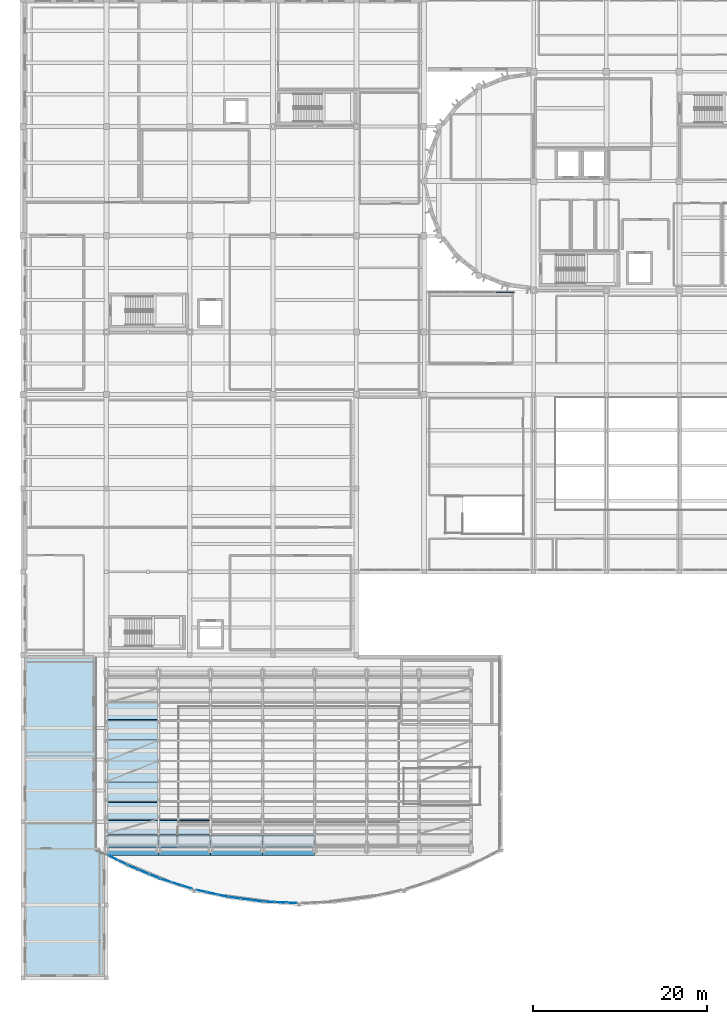
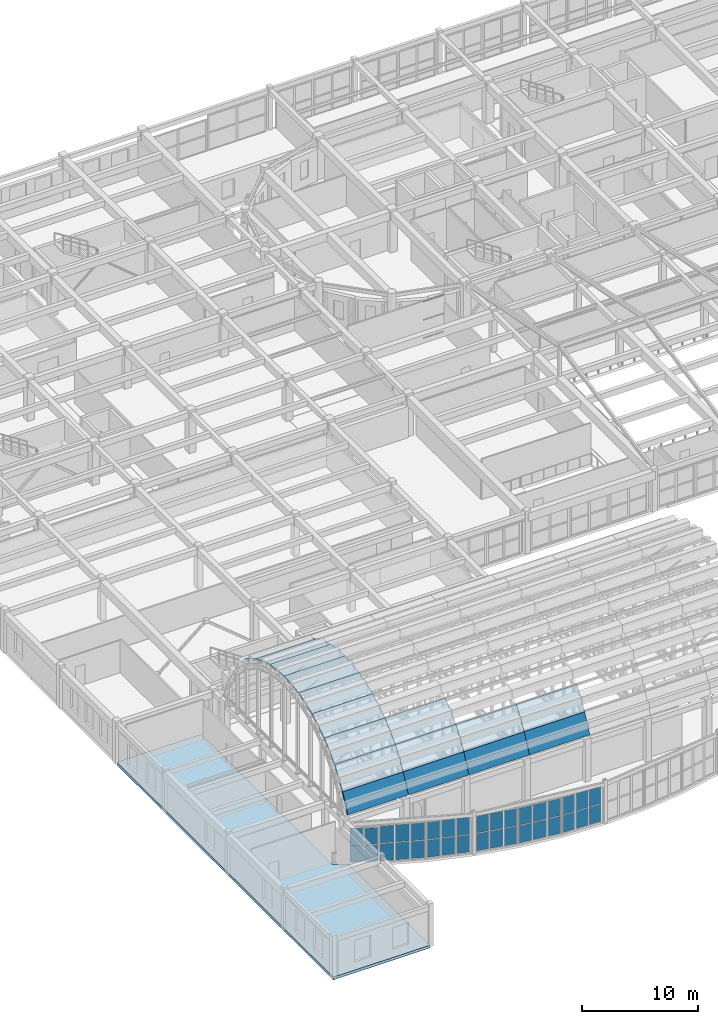
# One storey, part 56 of 91: 50 plates, 6 members, 1 slab, 7 elements without a shape of their own.
"""IFC4 building model written with IfcOpenShell, lengths in metres."""

from ifc_helpers import new_model, si_unit, direction, frame, origin, origin_2d, place, context, subcontext, project, spatial, polyline, rectangle, hollow_rectangle, outline, extrude, material, layer, layer_set, material_profile, profile_set, type_object, element, aggregate, save


model = new_model("IFC4")

# Units and contexts
model_context = context("Model", 3, precision=1e-05, world=origin(), true_north=direction((0.0, 1.0)))
body_context = subcontext(model_context, "Body", "Model", "MODEL_VIEW")
ifc_project = project(units=[si_unit("LENGTHUNIT", "METRE"), si_unit("AREAUNIT", "SQUARE_METRE"), si_unit("VOLUMEUNIT", "CUBIC_METRE"), si_unit("PLANEANGLEUNIT", "RADIAN"), si_unit("MASSUNIT", "GRAM", prefix="KILO")], contexts=[model_context])

# Site, building, storey
site_placement = place(None, origin())
site = spatial("IfcSite", under=ifc_project, at=site_placement, CompositionType="ELEMENT")
building_placement = place(site_placement, origin())
building = spatial("IfcBuilding", under=site, at=building_placement, Name="Tarnavel Promenade Courthouse", CompositionType="ELEMENT")
storey_placement = place(building_placement, frame((0.0, 0.0, 9.89990234375)))
storey = spatial("IfcBuildingStorey", under=building, at=storey_placement, Name="L03", CompositionType="ELEMENT", Elevation=9.89990234375)

# Curtain wall, members
ifc_material_1 = material(Name="Thermally Broken Anodised Aluminium Curtain Wall System", Category="aluminium")
ifc_layer_1 = layer(ifc_material_1, 0.2099609375)
ifc_layer_set_1 = layer_set([ifc_layer_1], Name="Thermally Broken Anodised Aluminium Curtain Wall System")
curtain_wall_type_1 = type_object("IfcCurtainWallType", Name="Thermally Broken Aluminium Triple-Glazed Curtain Wall CW-WG-N", PredefinedType="NOTDEFINED", material=ifc_layer_set_1)
curtain_wall_1_placement = place(storey_placement, origin())
curtain_wall_1 = element("IfcCurtainWall", 1, at=curtain_wall_1_placement, inside=storey, type_object=curtain_wall_type_1, Name="L03 Winter-Garden North Curtain Wall 116", PredefinedType="NOTDEFINED")
ifc_material_2 = material(Name="Thermally Broken Anodised Aluminium Frame", Category="aluminium")
ifc_material_profile = material_profile(ifc_material_2, hollow_rectangle(XDim=0.070068359375, YDim=0.139892578125, WallThickness=0.0048828125, InnerFilletRadius=0.0048828125, OuterFilletRadius=0.010009765625, at=origin_2d()), Name="CWT 140x70x5")
ifc_profile_set = profile_set([ifc_material_profile], Name="Thermally Broken Anodised Aluminium Frame")
member_type = type_object("IfcMemberType", Name="Thermally Broken Anodised Aluminium CWT-125 (CWT 140x70x5)", PredefinedType="USERDEFINED", material=ifc_profile_set)
member_1_placement = place(storey_placement, frame((54.47998046875, 78.949951171875, 0.03515625), z_axis=(1.0, 0.0, 0.0), x_axis=(0.0, 1.0, 0.0)))
member_1 = element("IfcMember", 2, at=member_1_placement, type_object=member_type, Name="CW-03 transom 1.1", ObjectType="TRANSOM", PredefinedType="USERDEFINED", context=body_context, shape_type="SweptSolid", body=[
    extrude(hollow_rectangle(XDim=0.070068359375, YDim=0.139892578125, WallThickness=0.0048828125, InnerFilletRadius=0.0048828125, OuterFilletRadius=0.010009765625, at=origin_2d()), origin(), (0.0, 0.0, 1.0), 0.97998046875),
])
member_2_placement = place(storey_placement, frame((54.47998046875, 78.949951171875, 1.940185546875), z_axis=(1.0, 0.0, 0.0), x_axis=(0.0, 1.0, 0.0)))
member_2 = element("IfcMember", 3, at=member_2_placement, type_object=member_type, Name="CW-03 transom 1.2", ObjectType="TRANSOM", PredefinedType="USERDEFINED", context=body_context, shape_type="SweptSolid", body=[
    extrude(hollow_rectangle(XDim=0.070068359375, YDim=0.139892578125, WallThickness=0.0048828125, InnerFilletRadius=0.0048828125, OuterFilletRadius=0.010009765625, at=origin_2d()), origin(), (0.0, 0.0, 1.0), 0.97998046875),
])
member_3_placement = place(storey_placement, frame((54.47998046875, 78.949951171875, 3.84521484375), z_axis=(1.0, 0.0, 0.0), x_axis=(0.0, 1.0, 0.0)))
member_3 = element("IfcMember", 4, at=member_3_placement, type_object=member_type, Name="CW-03 transom 1.3", ObjectType="TRANSOM", PredefinedType="USERDEFINED", context=body_context, shape_type="SweptSolid", body=[
    extrude(hollow_rectangle(XDim=0.070068359375, YDim=0.139892578125, WallThickness=0.0048828125, InnerFilletRadius=0.0048828125, OuterFilletRadius=0.010009765625, at=origin_2d()), origin(), (0.0, 0.0, 1.0), 0.97998046875),
])
member_4_placement = place(storey_placement, frame((55.5400390625, 78.949951171875, 0.03515625), z_axis=(1.0, 0.0, 0.0), x_axis=(0.0, 1.0, 0.0)))
member_4 = element("IfcMember", 5, at=member_4_placement, type_object=member_type, Name="CW-03 transom 2.1", ObjectType="TRANSOM", PredefinedType="USERDEFINED", context=body_context, shape_type="SweptSolid", body=[
    extrude(hollow_rectangle(XDim=0.070068359375, YDim=0.139892578125, WallThickness=0.0048828125, InnerFilletRadius=0.0048828125, OuterFilletRadius=0.010009765625, at=origin_2d()), origin(), (0.0, 0.0, 1.0), 0.97998046875),
])
member_5_placement = place(storey_placement, frame((55.5400390625, 78.949951171875, 1.940185546875), z_axis=(1.0, 0.0, 0.0), x_axis=(0.0, 1.0, 0.0)))
member_5 = element("IfcMember", 6, at=member_5_placement, type_object=member_type, Name="CW-03 transom 2.2", ObjectType="TRANSOM", PredefinedType="USERDEFINED", context=body_context, shape_type="SweptSolid", body=[
    extrude(hollow_rectangle(XDim=0.070068359375, YDim=0.139892578125, WallThickness=0.0048828125, InnerFilletRadius=0.0048828125, OuterFilletRadius=0.010009765625, at=origin_2d()), origin(), (0.0, 0.0, 1.0), 0.97998046875),
])
member_6_placement = place(storey_placement, frame((55.5400390625, 78.949951171875, 3.84521484375), z_axis=(1.0, 0.0, 0.0), x_axis=(0.0, 1.0, 0.0)))
member_6 = element("IfcMember", 7, at=member_6_placement, type_object=member_type, Name="CW-03 transom 2.3", ObjectType="TRANSOM", PredefinedType="USERDEFINED", context=body_context, shape_type="SweptSolid", body=[
    extrude(hollow_rectangle(XDim=0.070068359375, YDim=0.139892578125, WallThickness=0.0048828125, InnerFilletRadius=0.0048828125, OuterFilletRadius=0.010009765625, at=origin_2d()), origin(), (0.0, 0.0, 1.0), 0.97998046875),
])
aggregate(curtain_wall_1, [member_1, member_2, member_3, member_4, member_5, member_6])

# Slab
ifc_material_3 = material(Name="Concrete C40/50", Category="concrete")
ifc_layer_2 = layer(ifc_material_3, 0.300048828125)
ifc_layer_set_2 = layer_set([ifc_layer_2], Name="Concrete C40/50")
slab_type = type_object("IfcSlabType", Name="Concrete C40/50 SLB-STK-300 (300 mm)", PredefinedType="FLOOR", material=ifc_layer_set_2)
slab_placement = place(storey_placement, frame((0.0, 0.0, -0.2998046875)))
element("IfcSlab", 8, at=slab_placement, inside=storey, type_object=slab_type, Name="L03 Portal Pavilion Floor Slab", PredefinedType="FLOOR", context=body_context, shape_type="SweptSolid", body=[
    extrude(outline(polyline([(9.60009765625, 0.0), (0.0, 0.0), (0.0, 37.179931640625), (8.360107421875, 37.179931640625), (8.360107421875, 14.6201171875), (8.43115234375, 14.6201171875), (9.60009765625, 14.011474609375), (9.60009765625, 0.0)])), origin(), (0.0, 0.0, 1.0), 0.2998046875),
])

# Plates
ifc_material_4 = material(Name="Standing-Seam Copper Insulated Roof Assembly")
ifc_layer_3 = layer(ifc_material_4, 0.179931640625)
ifc_layer_set_3 = layer_set([ifc_layer_3], Name="Standing-Seam Copper Insulated Roof Assembly")
plate_type_1 = type_object("IfcPlateType", Name="Standing-Seam Copper Insulated Roof Assembly PLT-VLT-V4-CROWN (180 mm)", PredefinedType="SHEET", material=ifc_layer_set_3)
plate_1_placement = place(storey_placement, frame((9.60009765625, 18.131591796875, 10.72314453125), z_axis=(0.0, -0.519833470276, 0.85426761801), x_axis=(1.0, 0.0, 0.0)))
element("IfcPlate", 9, at=plate_1_placement, inside=storey, type_object=plate_type_1, Name="Barrel Vault Roof Panel V4 Bay 01 Facet 04", PredefinedType="SHEET", context=body_context, shape_type="SweptSolid", body=[
    extrude(outline(polyline([(0.0, 0.0), (6.0, 0.0), (6.0, 2.457217210970626), (0.0, 2.457217210970626), (0.0, 0.0)])), origin(), (0.0, 0.0, -1.0), 0.179931640625),
])
plate_2_placement = place(storey_placement, frame((9.60009765625, 20.230712890625, 12.00048828125), z_axis=(0.0, -0.322063013242, 0.946718234483), x_axis=(1.0, 0.0, 0.0)))
element("IfcPlate", 10, at=plate_2_placement, inside=storey, type_object=plate_type_1, Name="Barrel Vault Roof Panel V4 Bay 01 Facet 05", PredefinedType="SHEET", context=body_context, shape_type="SweptSolid", body=[
    extrude(outline(polyline([(0.0, 0.0), (6.0, 0.0), (6.0, 2.457605728405247), (0.0, 2.457605728405247), (0.0, 0.0)])), origin(), (0.0, 0.0, -1.0), 0.179931640625),
])
for number, where, z_axis, x_axis, name in (
    (11, (9.60009765625, 22.557373046875, 12.7919921875), (0.0, -0.10909015314, 0.994031859896), (1.0, 0.0, 0.0), "Barrel Vault Roof Panel V4 Bay 01 Facet 06"),
    (12, (9.60009765625, 25.0, 13.06005859375), (0.0, 0.10909015314, 0.994031859896), (1.0, 0.0, 0.0), "Barrel Vault Roof Panel V4 Bay 01 Facet 07"),
):
    element("IfcPlate", number, at=place(storey_placement, frame(where, z_axis=z_axis, x_axis=x_axis)), inside=storey, type_object=plate_type_1, Name=name, PredefinedType="SHEET", context=body_context, shape_type="SweptSolid", body=[
        extrude(outline(polyline([(0.0, 0.0), (6.0, 0.0), (6.0, 2.457292418555942), (0.0, 2.457292418555942), (0.0, 0.0)])), origin(), (0.0, 0.0, -1.0), 0.179931640625),
    ])
plate_3_placement = place(storey_placement, frame((9.60009765625, 27.442626953125, 12.7919921875), z_axis=(0.0, 0.322063013242, 0.946718234483), x_axis=(1.0, 0.0, 0.0)))
element("IfcPlate", 13, at=plate_3_placement, inside=storey, type_object=plate_type_1, Name="Barrel Vault Roof Panel V4 Bay 01 Facet 08", PredefinedType="SHEET", context=body_context, shape_type="SweptSolid", body=[
    extrude(outline(polyline([(0.0, 0.0), (6.0, 0.0), (6.0, 2.457605728405247), (0.0, 2.457605728405247), (0.0, 0.0)])), origin(), (0.0, 0.0, -1.0), 0.179931640625),
])
plate_4_placement = place(storey_placement, frame((9.60009765625, 29.769287109375, 12.00048828125), z_axis=(0.0, 0.519833470276, 0.85426761801), x_axis=(1.0, 0.0, 0.0)))
element("IfcPlate", 14, at=plate_4_placement, inside=storey, type_object=plate_type_1, Name="Barrel Vault Roof Panel V4 Bay 01 Facet 09", PredefinedType="SHEET", context=body_context, shape_type="SweptSolid", body=[
    extrude(outline(polyline([(0.0, 0.0), (6.0, 0.0), (6.0, 2.457217210970626), (0.0, 2.457217210970626), (0.0, 0.0)])), origin(), (0.0, 0.0, -1.0), 0.179931640625),
])
ifc_layer_4 = layer(ifc_material_4, 0.175048828125)
ifc_layer_set_4 = layer_set([ifc_layer_4], Name="Standing-Seam Copper Insulated Roof Assembly")
plate_type_2 = type_object("IfcPlateType", Name="Standing-Seam Copper Insulated Roof Assembly PLT-VLT-V4-LOW (175 mm)", PredefinedType="SHEET", material=ifc_layer_set_4)
plate_5_placement = place(storey_placement, frame((9.60009765625, 14.11376953125, 5.080078125), z_axis=(0.0, -0.906108548718, 0.423045267011), x_axis=(1.0, 0.0, 0.0)))
element("IfcPlate", 15, at=plate_5_placement, inside=storey, type_object=plate_type_2, Name="Barrel Vault Roof Panel V4 Bay 01 Facet 01", PredefinedType="SHEET", context=body_context, shape_type="SweptSolid", body=[
    extrude(outline(polyline([(0.0, 0.0), (6.0, 0.0), (6.0, 2.0908435889725268), (0.0, 2.0908435889725268), (0.0, 0.0)])), origin(), (0.0, 0.0, -1.0), 0.175048828125),
])
plate_6_placement = place(storey_placement, frame((9.60009765625, 14.998291015625, 6.974609375), z_axis=(0.0, -0.83266118003, 0.553782772639), x_axis=(1.0, 0.0, 0.0)))
element("IfcPlate", 16, at=plate_6_placement, inside=storey, type_object=plate_type_2, Name="Barrel Vault Roof Panel V4 Bay 01 Facet 02", PredefinedType="SHEET", context=body_context, shape_type="SweptSolid", body=[
    extrude(outline(polyline([(0.0, 0.0), (6.0, 0.0), (6.0, 2.457353155399839), (0.0, 2.457353155399839), (0.0, 0.0)])), origin(), (0.0, 0.0, -1.0), 0.175048828125),
])
plate_7_placement = place(storey_placement, frame((9.60009765625, 16.359130859375, 9.020751953125), z_axis=(0.0, -0.692707578218, 0.721218559855), x_axis=(1.0, 0.0, 0.0)))
element("IfcPlate", 17, at=plate_7_placement, inside=storey, type_object=plate_type_2, Name="Barrel Vault Roof Panel V4 Bay 01 Facet 03", PredefinedType="SHEET", context=body_context, shape_type="SweptSolid", body=[
    extrude(outline(polyline([(0.0, 0.0), (6.0, 0.0), (6.0, 2.4575919647123), (0.0, 2.4575919647123), (0.0, 0.0)])), origin(), (0.0, 0.0, -1.0), 0.175048828125),
])
plate_8_placement = place(storey_placement, frame((15.60009765625, 14.11376953125, 5.080078125), z_axis=(0.0, -0.906108548718, 0.423045267011), x_axis=(1.0, 0.0, 0.0)))
element("IfcPlate", 18, at=plate_8_placement, inside=storey, type_object=plate_type_2, Name="Barrel Vault Roof Panel V4 Bay 02 Facet 01", PredefinedType="SHEET", context=body_context, shape_type="SweptSolid", body=[
    extrude(outline(polyline([(0.0, 0.0), (6.0, 0.0), (6.0, 2.0908435889725268), (0.0, 2.0908435889725268), (0.0, 0.0)])), origin(), (0.0, 0.0, -1.0), 0.175048828125),
])
plate_9_placement = place(storey_placement, frame((15.60009765625, 14.998291015625, 6.974609375), z_axis=(0.0, -0.83266118003, 0.553782772639), x_axis=(1.0, 0.0, 0.0)))
element("IfcPlate", 19, at=plate_9_placement, inside=storey, type_object=plate_type_2, Name="Barrel Vault Roof Panel V4 Bay 02 Facet 02", PredefinedType="SHEET", context=body_context, shape_type="SweptSolid", body=[
    extrude(outline(polyline([(0.0, 0.0), (6.0, 0.0), (6.0, 2.457353155399839), (0.0, 2.457353155399839), (0.0, 0.0)])), origin(), (0.0, 0.0, -1.0), 0.175048828125),
])
plate_10_placement = place(storey_placement, frame((15.60009765625, 16.359130859375, 9.020751953125), z_axis=(0.0, -0.692707578218, 0.721218559855), x_axis=(1.0, 0.0, 0.0)))
element("IfcPlate", 20, at=plate_10_placement, inside=storey, type_object=plate_type_2, Name="Barrel Vault Roof Panel V4 Bay 02 Facet 03", PredefinedType="SHEET", context=body_context, shape_type="SweptSolid", body=[
    extrude(outline(polyline([(0.0, 0.0), (6.0, 0.0), (6.0, 2.4575919647123), (0.0, 2.4575919647123), (0.0, 0.0)])), origin(), (0.0, 0.0, -1.0), 0.175048828125),
])
plate_11_placement = place(storey_placement, frame((21.60009765625, 14.11376953125, 5.080078125), z_axis=(0.0, -0.906108548718, 0.423045267011), x_axis=(1.0, 0.0, 0.0)))
element("IfcPlate", 21, at=plate_11_placement, inside=storey, type_object=plate_type_2, Name="Barrel Vault Roof Panel V4 Bay 03 Facet 01", PredefinedType="SHEET", context=body_context, shape_type="SweptSolid", body=[
    extrude(outline(polyline([(0.0, 0.0), (6.0, 0.0), (6.0, 2.0908435889725268), (0.0, 2.0908435889725268), (0.0, 0.0)])), origin(), (0.0, 0.0, -1.0), 0.175048828125),
])
plate_12_placement = place(storey_placement, frame((21.60009765625, 14.998291015625, 6.974609375), z_axis=(0.0, -0.83266118003, 0.553782772639), x_axis=(1.0, 0.0, 0.0)))
element("IfcPlate", 22, at=plate_12_placement, inside=storey, type_object=plate_type_2, Name="Barrel Vault Roof Panel V4 Bay 03 Facet 02", PredefinedType="SHEET", context=body_context, shape_type="SweptSolid", body=[
    extrude(outline(polyline([(0.0, 0.0), (6.0, 0.0), (6.0, 2.457353155399839), (0.0, 2.457353155399839), (0.0, 0.0)])), origin(), (0.0, 0.0, -1.0), 0.175048828125),
])
plate_13_placement = place(storey_placement, frame((27.60009765625, 14.11376953125, 5.080078125), z_axis=(0.0, -0.906108548718, 0.423045267011), x_axis=(1.0, 0.0, 0.0)))
element("IfcPlate", 23, at=plate_13_placement, inside=storey, type_object=plate_type_2, Name="Barrel Vault Roof Panel V4 Bay 04 Facet 01", PredefinedType="SHEET", context=body_context, shape_type="SweptSolid", body=[
    extrude(outline(polyline([(0.0, 0.0), (6.0, 0.0), (6.0, 2.0908435889725268), (0.0, 2.0908435889725268), (0.0, 0.0)])), origin(), (0.0, 0.0, -1.0), 0.175048828125),
])
plate_14_placement = place(storey_placement, frame((27.60009765625, 14.998291015625, 6.974609375), z_axis=(0.0, -0.83266118003, 0.553782772639), x_axis=(1.0, 0.0, 0.0)))
element("IfcPlate", 24, at=plate_14_placement, inside=storey, type_object=plate_type_2, Name="Barrel Vault Roof Panel V4 Bay 04 Facet 02", PredefinedType="SHEET", context=body_context, shape_type="SweptSolid", body=[
    extrude(outline(polyline([(0.0, 0.0), (6.0, 0.0), (6.0, 2.457353155399839), (0.0, 2.457353155399839), (0.0, 0.0)])), origin(), (0.0, 0.0, -1.0), 0.175048828125),
])

# Curtain wall, plates
ifc_layer_5 = layer(ifc_material_1, 0.219970703125)
ifc_layer_set_5 = layer_set([ifc_layer_5], Name="Thermally Broken Anodised Aluminium Curtain Wall System")
curtain_wall_type_2 = type_object("IfcCurtainWallType", Name="Thermally Broken Aluminium Triple-Glazed Curtain Wall CW-DRUM", PredefinedType="NOTDEFINED", material=ifc_layer_set_5)
curtain_wall_2_placement = place(storey_placement, origin())
curtain_wall_2 = element("IfcCurtainWall", 25, at=curtain_wall_2_placement, inside=storey, type_object=curtain_wall_type_2, Name="L03 Public Hall Drum Curtain Wall 027", PredefinedType="NOTDEFINED")
ifc_material_5 = material(Name="Triple Low-E Argon Insulated Glazing", Category="glass")
ifc_layer_6 = layer(ifc_material_5, 0.048095703125)
ifc_layer_set_6 = layer_set([ifc_layer_6], Name="Triple Low-E Argon Insulated Glazing")
plate_type_3 = type_object("IfcPlateType", Name="Triple Low-E Argon Insulated Glazing Unit CWP-48 (48 mm)", PredefinedType="CURTAIN_PANEL", material=ifc_layer_set_6)
plate_15_placement = place(storey_placement, frame((10.34375, 13.878173828125, 0.080078125), z_axis=(0.0, 0.0, 1.0), x_axis=(0.887010496423, -0.461749260135, 0.0)))
plate_15 = element("IfcPlate", 26, at=plate_15_placement, type_object=plate_type_3, Name="CW-01 panel 1.1", PredefinedType="CURTAIN_PANEL", context=body_context, shape_type="SweptSolid", body=[
    extrude(rectangle(XDim=1.140869140625, YDim=0.048095703125, at=origin_2d()), origin(), (0.0, 0.0, 1.0), 1.719970703125),
])
plate_16_placement = place(storey_placement, frame((10.34375, 13.878173828125, 1.8798828125), z_axis=(0.0, 0.0, 1.0), x_axis=(0.887010496423, -0.461749260135, 0.0)))
plate_16 = element("IfcPlate", 27, at=plate_16_placement, type_object=plate_type_3, Name="CW-01 panel 1.2", PredefinedType="CURTAIN_PANEL", context=body_context, shape_type="SweptSolid", body=[
    extrude(rectangle(XDim=1.140869140625, YDim=0.048095703125, at=origin_2d()), origin(), (0.0, 0.0, 1.0), 1.719970703125),
])
plate_17_placement = place(storey_placement, frame((11.435546875, 13.309814453125, 0.080078125), z_axis=(0.0, 0.0, 1.0), x_axis=(0.887010496423, -0.461749260135, 0.0)))
plate_17 = element("IfcPlate", 28, at=plate_17_placement, type_object=plate_type_3, Name="CW-01 panel 2.1", PredefinedType="CURTAIN_PANEL", context=body_context, shape_type="SweptSolid", body=[
    extrude(rectangle(XDim=1.140869140625, YDim=0.048095703125, at=origin_2d()), origin(), (0.0, 0.0, 1.0), 1.719970703125),
])
plate_18_placement = place(storey_placement, frame((11.435546875, 13.309814453125, 1.8798828125), z_axis=(0.0, 0.0, 1.0), x_axis=(0.887010496423, -0.461749260135, 0.0)))
plate_18 = element("IfcPlate", 29, at=plate_18_placement, type_object=plate_type_3, Name="CW-01 panel 2.2", PredefinedType="CURTAIN_PANEL", context=body_context, shape_type="SweptSolid", body=[
    extrude(rectangle(XDim=1.140869140625, YDim=0.048095703125, at=origin_2d()), origin(), (0.0, 0.0, 1.0), 1.719970703125),
])
aggregate(curtain_wall_2, [plate_15, plate_16, plate_17, plate_18])

curtain_wall_3_placement = place(storey_placement, origin())
curtain_wall_3 = element("IfcCurtainWall", 30, at=curtain_wall_3_placement, inside=storey, type_object=curtain_wall_type_2, Name="L03 Public Hall Drum Curtain Wall 028", PredefinedType="NOTDEFINED")
plate_19_placement = place(storey_placement, frame((12.6708984375, 12.73583984375, 0.080078125), z_axis=(0.0, 0.0, 1.0), x_axis=(0.923878974593, -0.382684779296, 0.0)))
plate_19 = element("IfcPlate", 31, at=plate_19_placement, type_object=plate_type_3, Name="CW-01 panel 1.1", PredefinedType="CURTAIN_PANEL", context=body_context, shape_type="SweptSolid", body=[
    extrude(rectangle(XDim=1.225830078125, YDim=0.048095703125, at=origin_2d()), origin(), (0.0, 0.0, 1.0), 1.794921875),
])
plate_20_placement = place(storey_placement, frame((12.6708984375, 12.73583984375, 1.955078125), z_axis=(0.0, 0.0, 1.0), x_axis=(0.923878974593, -0.382684779296, 0.0)))
plate_20 = element("IfcPlate", 32, at=plate_20_placement, type_object=plate_type_3, Name="CW-01 panel 1.2", PredefinedType="CURTAIN_PANEL", context=body_context, shape_type="SweptSolid", body=[
    extrude(rectangle(XDim=1.225830078125, YDim=0.048095703125, at=origin_2d()), origin(), (0.0, 0.0, 1.0), 1.794921875),
])
plate_21_placement = place(storey_placement, frame((13.907470703125, 12.2236328125, 0.080078125), z_axis=(0.0, 0.0, 1.0), x_axis=(0.923878974593, -0.382684779296, 0.0)))
plate_21 = element("IfcPlate", 33, at=plate_21_placement, type_object=plate_type_3, Name="CW-01 panel 2.1", PredefinedType="CURTAIN_PANEL", context=body_context, shape_type="SweptSolid", body=[
    extrude(rectangle(XDim=1.27099609375, YDim=0.048095703125, at=origin_2d()), origin(), (0.0, 0.0, 1.0), 1.794921875),
])
plate_22_placement = place(storey_placement, frame((13.907470703125, 12.2236328125, 1.955078125), z_axis=(0.0, 0.0, 1.0), x_axis=(0.923878974593, -0.382684779296, 0.0)))
plate_22 = element("IfcPlate", 34, at=plate_22_placement, type_object=plate_type_3, Name="CW-01 panel 2.2", PredefinedType="CURTAIN_PANEL", context=body_context, shape_type="SweptSolid", body=[
    extrude(rectangle(XDim=1.27099609375, YDim=0.048095703125, at=origin_2d()), origin(), (0.0, 0.0, 1.0), 1.794921875),
])
plate_23_placement = place(storey_placement, frame((15.14404296875, 11.71142578125, 0.080078125), z_axis=(0.0, 0.0, 1.0), x_axis=(0.923878974593, -0.382684779296, 0.0)))
plate_23 = element("IfcPlate", 35, at=plate_23_placement, type_object=plate_type_3, Name="CW-01 panel 3.1", PredefinedType="CURTAIN_PANEL", context=body_context, shape_type="SweptSolid", body=[
    extrude(rectangle(XDim=1.225830078125, YDim=0.048095703125, at=origin_2d()), origin(), (0.0, 0.0, 1.0), 1.794921875),
])
plate_24_placement = place(storey_placement, frame((15.14404296875, 11.71142578125, 1.955078125), z_axis=(0.0, 0.0, 1.0), x_axis=(0.923878974593, -0.382684779296, 0.0)))
plate_24 = element("IfcPlate", 36, at=plate_24_placement, type_object=plate_type_3, Name="CW-01 panel 3.2", PredefinedType="CURTAIN_PANEL", context=body_context, shape_type="SweptSolid", body=[
    extrude(rectangle(XDim=1.225830078125, YDim=0.048095703125, at=origin_2d()), origin(), (0.0, 0.0, 1.0), 1.794921875),
])
aggregate(curtain_wall_3, [plate_19, plate_20, plate_21, plate_22, plate_23, plate_24])

curtain_wall_4_placement = place(storey_placement, origin())
curtain_wall_4 = element("IfcCurtainWall", 37, at=curtain_wall_4_placement, inside=storey, type_object=curtain_wall_type_2, Name="L03 Public Hall Drum Curtain Wall 029", PredefinedType="NOTDEFINED")
plate_25_placement = place(storey_placement, frame((16.442626953125, 11.23779296875, 0.080078125), z_axis=(0.0, 0.0, 1.0), x_axis=(0.953717095465, -0.300705340521, 0.0)))
plate_25 = element("IfcPlate", 38, at=plate_25_placement, type_object=plate_type_3, Name="CW-01 panel 1.1", PredefinedType="CURTAIN_PANEL", context=body_context, shape_type="SweptSolid", body=[
    extrude(rectangle(XDim=1.181396484375, YDim=0.048095703125, at=origin_2d()), origin(), (0.0, 0.0, 1.0), 1.794921875),
])
plate_26_placement = place(storey_placement, frame((16.442626953125, 11.23779296875, 1.955078125), z_axis=(0.0, 0.0, 1.0), x_axis=(0.953717095465, -0.300705340521, 0.0)))
plate_26 = element("IfcPlate", 39, at=plate_26_placement, type_object=plate_type_3, Name="CW-01 panel 1.2", PredefinedType="CURTAIN_PANEL", context=body_context, shape_type="SweptSolid", body=[
    extrude(rectangle(XDim=1.181396484375, YDim=0.048095703125, at=origin_2d()), origin(), (0.0, 0.0, 1.0), 1.794921875),
])
plate_27_placement = place(storey_placement, frame((17.676513671875, 10.8486328125, 0.080078125), z_axis=(0.0, 0.0, 1.0), x_axis=(0.953717095465, -0.300705340521, 0.0)))
plate_27 = element("IfcPlate", 40, at=plate_27_placement, type_object=plate_type_3, Name="CW-01 panel 2.1", PredefinedType="CURTAIN_PANEL", context=body_context, shape_type="SweptSolid", body=[
    extrude(rectangle(XDim=1.226318359375, YDim=0.048095703125, at=origin_2d()), origin(), (0.0, 0.0, 1.0), 1.794921875),
])
plate_28_placement = place(storey_placement, frame((17.676513671875, 10.8486328125, 1.955078125), z_axis=(0.0, 0.0, 1.0), x_axis=(0.953717095465, -0.300705340521, 0.0)))
plate_28 = element("IfcPlate", 41, at=plate_28_placement, type_object=plate_type_3, Name="CW-01 panel 2.2", PredefinedType="CURTAIN_PANEL", context=body_context, shape_type="SweptSolid", body=[
    extrude(rectangle(XDim=1.226318359375, YDim=0.048095703125, at=origin_2d()), origin(), (0.0, 0.0, 1.0), 1.794921875),
])
plate_29_placement = place(storey_placement, frame((18.910400390625, 10.45947265625, 0.080078125), z_axis=(0.0, 0.0, 1.0), x_axis=(0.953717095465, -0.300705340521, 0.0)))
plate_29 = element("IfcPlate", 42, at=plate_29_placement, type_object=plate_type_3, Name="CW-01 panel 3.1", PredefinedType="CURTAIN_PANEL", context=body_context, shape_type="SweptSolid", body=[
    extrude(rectangle(XDim=1.181396484375, YDim=0.048095703125, at=origin_2d()), origin(), (0.0, 0.0, 1.0), 1.794921875),
])
plate_30_placement = place(storey_placement, frame((18.910400390625, 10.45947265625, 1.955078125), z_axis=(0.0, 0.0, 1.0), x_axis=(0.953717095465, -0.300705340521, 0.0)))
plate_30 = element("IfcPlate", 43, at=plate_30_placement, type_object=plate_type_3, Name="CW-01 panel 3.2", PredefinedType="CURTAIN_PANEL", context=body_context, shape_type="SweptSolid", body=[
    extrude(rectangle(XDim=1.181396484375, YDim=0.048095703125, at=origin_2d()), origin(), (0.0, 0.0, 1.0), 1.794921875),
])
aggregate(curtain_wall_4, [plate_25, plate_26, plate_27, plate_28, plate_29, plate_30])

curtain_wall_5_placement = place(storey_placement, origin())
curtain_wall_5 = element("IfcCurtainWall", 44, at=curtain_wall_5_placement, inside=storey, type_object=curtain_wall_type_2, Name="L03 Public Hall Drum Curtain Wall 030", PredefinedType="NOTDEFINED")
plate_31_placement = place(storey_placement, frame((20.574951171875, 10.017822265625, 0.080078125), z_axis=(0.0, 0.0, 1.0), x_axis=(0.976296327058, -0.216438170788, 0.0)))
plate_31 = element("IfcPlate", 45, at=plate_31_placement, type_object=plate_type_3, Name="CW-01 panel 1.1", PredefinedType="CURTAIN_PANEL", context=body_context, shape_type="SweptSolid", body=[
    extrude(rectangle(XDim=1.143310546875, YDim=0.048095703125, at=origin_2d()), origin(), (0.0, 0.0, 1.0), 1.794921875),
])
plate_32_placement = place(storey_placement, frame((20.574951171875, 10.017822265625, 1.955078125), z_axis=(0.0, 0.0, 1.0), x_axis=(0.976296327058, -0.216438170788, 0.0)))
plate_32 = element("IfcPlate", 46, at=plate_32_placement, type_object=plate_type_3, Name="CW-01 panel 1.2", PredefinedType="CURTAIN_PANEL", context=body_context, shape_type="SweptSolid", body=[
    extrude(rectangle(XDim=1.143310546875, YDim=0.048095703125, at=origin_2d()), origin(), (0.0, 0.0, 1.0), 1.794921875),
])
plate_33_placement = place(storey_placement, frame((21.80126953125, 9.74609375, 0.080078125), z_axis=(0.0, 0.0, 1.0), x_axis=(0.976296327058, -0.216438170788, 0.0)))
plate_33 = element("IfcPlate", 47, at=plate_33_placement, type_object=plate_type_3, Name="CW-01 panel 2.1", PredefinedType="CURTAIN_PANEL", context=body_context, shape_type="SweptSolid", body=[
    extrude(rectangle(XDim=1.1884765625, YDim=0.048095703125, at=origin_2d()), origin(), (0.0, 0.0, 1.0), 1.794921875),
])
plate_34_placement = place(storey_placement, frame((21.80126953125, 9.74609375, 1.955078125), z_axis=(0.0, 0.0, 1.0), x_axis=(0.976296327058, -0.216438170788, 0.0)))
plate_34 = element("IfcPlate", 48, at=plate_34_placement, type_object=plate_type_3, Name="CW-01 panel 2.2", PredefinedType="CURTAIN_PANEL", context=body_context, shape_type="SweptSolid", body=[
    extrude(rectangle(XDim=1.1884765625, YDim=0.048095703125, at=origin_2d()), origin(), (0.0, 0.0, 1.0), 1.794921875),
])
plate_35_placement = place(storey_placement, frame((23.02734375, 9.47412109375, 0.080078125), z_axis=(0.0, 0.0, 1.0), x_axis=(0.976296327058, -0.216438170788, 0.0)))
plate_35 = element("IfcPlate", 49, at=plate_35_placement, type_object=plate_type_3, Name="CW-01 panel 3.1", PredefinedType="CURTAIN_PANEL", context=body_context, shape_type="SweptSolid", body=[
    extrude(rectangle(XDim=1.143310546875, YDim=0.048095703125, at=origin_2d()), origin(), (0.0, 0.0, 1.0), 1.794921875),
])
plate_36_placement = place(storey_placement, frame((23.02734375, 9.47412109375, 1.955078125), z_axis=(0.0, 0.0, 1.0), x_axis=(0.976296327058, -0.216438170788, 0.0)))
plate_36 = element("IfcPlate", 50, at=plate_36_placement, type_object=plate_type_3, Name="CW-01 panel 3.2", PredefinedType="CURTAIN_PANEL", context=body_context, shape_type="SweptSolid", body=[
    extrude(rectangle(XDim=1.143310546875, YDim=0.048095703125, at=origin_2d()), origin(), (0.0, 0.0, 1.0), 1.794921875),
])
aggregate(curtain_wall_5, [plate_31, plate_32, plate_33, plate_34, plate_35, plate_36])

curtain_wall_6_placement = place(storey_placement, origin())
curtain_wall_6 = element("IfcCurtainWall", 51, at=curtain_wall_6_placement, inside=storey, type_object=curtain_wall_type_2, Name="L03 Public Hall Drum Curtain Wall 031", PredefinedType="NOTDEFINED")
plate_37_placement = place(storey_placement, frame((24.3701171875, 9.2392578125, 0.080078125), z_axis=(0.0, 0.0, 1.0), x_axis=(0.991444805772, -0.130526614558, 0.0)))
plate_37 = element("IfcPlate", 52, at=plate_37_placement, type_object=plate_type_3, Name="CW-01 panel 1.1", PredefinedType="CURTAIN_PANEL", context=body_context, shape_type="SweptSolid", body=[
    extrude(rectangle(XDim=1.225830078125, YDim=0.048095703125, at=origin_2d()), origin(), (0.0, 0.0, 1.0), 1.794921875),
])
plate_38_placement = place(storey_placement, frame((24.3701171875, 9.2392578125, 1.955078125), z_axis=(0.0, 0.0, 1.0), x_axis=(0.991444805772, -0.130526614558, 0.0)))
plate_38 = element("IfcPlate", 53, at=plate_38_placement, type_object=plate_type_3, Name="CW-01 panel 1.2", PredefinedType="CURTAIN_PANEL", context=body_context, shape_type="SweptSolid", body=[
    extrude(rectangle(XDim=1.225830078125, YDim=0.048095703125, at=origin_2d()), origin(), (0.0, 0.0, 1.0), 1.794921875),
])
plate_39_placement = place(storey_placement, frame((25.697265625, 9.064453125, 0.080078125), z_axis=(0.0, 0.0, 1.0), x_axis=(0.991444805772, -0.130526614558, 0.0)))
plate_39 = element("IfcPlate", 54, at=plate_39_placement, type_object=plate_type_3, Name="CW-01 panel 2.1", PredefinedType="CURTAIN_PANEL", context=body_context, shape_type="SweptSolid", body=[
    extrude(rectangle(XDim=1.27099609375, YDim=0.048095703125, at=origin_2d()), origin(), (0.0, 0.0, 1.0), 1.794921875),
])
plate_40_placement = place(storey_placement, frame((25.697265625, 9.064453125, 1.955078125), z_axis=(0.0, 0.0, 1.0), x_axis=(0.991444805772, -0.130526614558, 0.0)))
plate_40 = element("IfcPlate", 55, at=plate_40_placement, type_object=plate_type_3, Name="CW-01 panel 2.2", PredefinedType="CURTAIN_PANEL", context=body_context, shape_type="SweptSolid", body=[
    extrude(rectangle(XDim=1.27099609375, YDim=0.048095703125, at=origin_2d()), origin(), (0.0, 0.0, 1.0), 1.794921875),
])
plate_41_placement = place(storey_placement, frame((27.024169921875, 8.889892578125, 0.080078125), z_axis=(0.0, 0.0, 1.0), x_axis=(0.991444805772, -0.130526614558, 0.0)))
plate_41 = element("IfcPlate", 56, at=plate_41_placement, type_object=plate_type_3, Name="CW-01 panel 3.1", PredefinedType="CURTAIN_PANEL", context=body_context, shape_type="SweptSolid", body=[
    extrude(rectangle(XDim=1.225830078125, YDim=0.048095703125, at=origin_2d()), origin(), (0.0, 0.0, 1.0), 1.794921875),
])
plate_42_placement = place(storey_placement, frame((27.024169921875, 8.889892578125, 1.955078125), z_axis=(0.0, 0.0, 1.0), x_axis=(0.991444805772, -0.130526614558, 0.0)))
plate_42 = element("IfcPlate", 57, at=plate_42_placement, type_object=plate_type_3, Name="CW-01 panel 3.2", PredefinedType="CURTAIN_PANEL", context=body_context, shape_type="SweptSolid", body=[
    extrude(rectangle(XDim=1.225830078125, YDim=0.048095703125, at=origin_2d()), origin(), (0.0, 0.0, 1.0), 1.794921875),
])
aggregate(curtain_wall_6, [plate_37, plate_38, plate_39, plate_40, plate_41, plate_42])

curtain_wall_7_placement = place(storey_placement, origin())
curtain_wall_7 = element("IfcCurtainWall", 58, at=curtain_wall_7_placement, inside=storey, type_object=curtain_wall_type_2, Name="L03 Public Hall Drum Curtain Wall 032", PredefinedType="NOTDEFINED")
plate_43_placement = place(storey_placement, frame((28.3916015625, 8.768798828125, 0.080078125), z_axis=(0.0, 0.0, 1.0), x_axis=(0.999048255156, -0.04361861839, 0.0)))
plate_43 = element("IfcPlate", 59, at=plate_43_placement, type_object=plate_type_3, Name="CW-01 panel 1.1", PredefinedType="CURTAIN_PANEL", context=body_context, shape_type="SweptSolid", body=[
    extrude(rectangle(XDim=1.162353515625, YDim=0.048095703125, at=origin_2d()), origin(), (0.0, 0.0, 1.0), 1.794921875),
])
plate_44_placement = place(storey_placement, frame((28.3916015625, 8.768798828125, 1.955078125), z_axis=(0.0, 0.0, 1.0), x_axis=(0.999048255156, -0.04361861839, 0.0)))
plate_44 = element("IfcPlate", 60, at=plate_44_placement, type_object=plate_type_3, Name="CW-01 panel 1.2", PredefinedType="CURTAIN_PANEL", context=body_context, shape_type="SweptSolid", body=[
    extrude(rectangle(XDim=1.162353515625, YDim=0.048095703125, at=origin_2d()), origin(), (0.0, 0.0, 1.0), 1.794921875),
])
plate_45_placement = place(storey_placement, frame((29.66552734375, 8.713134765625, 0.080078125), z_axis=(0.0, 0.0, 1.0), x_axis=(0.999048255156, -0.04361861839, 0.0)))
plate_45 = element("IfcPlate", 61, at=plate_45_placement, type_object=plate_type_3, Name="CW-01 panel 2.1", PredefinedType="CURTAIN_PANEL", context=body_context, shape_type="SweptSolid", body=[
    extrude(rectangle(XDim=1.20751953125, YDim=0.048095703125, at=origin_2d()), origin(), (0.0, 0.0, 1.0), 1.794921875),
])
plate_46_placement = place(storey_placement, frame((29.66552734375, 8.713134765625, 1.955078125), z_axis=(0.0, 0.0, 1.0), x_axis=(0.999048255156, -0.04361861839, 0.0)))
plate_46 = element("IfcPlate", 62, at=plate_46_placement, type_object=plate_type_3, Name="CW-01 panel 2.2", PredefinedType="CURTAIN_PANEL", context=body_context, shape_type="SweptSolid", body=[
    extrude(rectangle(XDim=1.20751953125, YDim=0.048095703125, at=origin_2d()), origin(), (0.0, 0.0, 1.0), 1.794921875),
])
plate_47_placement = place(storey_placement, frame((30.939208984375, 8.657470703125, 0.080078125), z_axis=(0.0, 0.0, 1.0), x_axis=(0.999048255156, -0.04361861839, 0.0)))
plate_47 = element("IfcPlate", 63, at=plate_47_placement, type_object=plate_type_3, Name="CW-01 panel 3.1", PredefinedType="CURTAIN_PANEL", context=body_context, shape_type="SweptSolid", body=[
    extrude(rectangle(XDim=1.162353515625, YDim=0.048095703125, at=origin_2d()), origin(), (0.0, 0.0, 1.0), 1.794921875),
])
plate_48_placement = place(storey_placement, frame((30.939208984375, 8.657470703125, 1.955078125), z_axis=(0.0, 0.0, 1.0), x_axis=(0.999048255156, -0.04361861839, 0.0)))
plate_48 = element("IfcPlate", 64, at=plate_48_placement, type_object=plate_type_3, Name="CW-01 panel 3.2", PredefinedType="CURTAIN_PANEL", context=body_context, shape_type="SweptSolid", body=[
    extrude(rectangle(XDim=1.162353515625, YDim=0.048095703125, at=origin_2d()), origin(), (0.0, 0.0, 1.0), 1.794921875),
])
aggregate(curtain_wall_7, [plate_43, plate_44, plate_45, plate_46, plate_47, plate_48])

save(model, "model.ifc")
